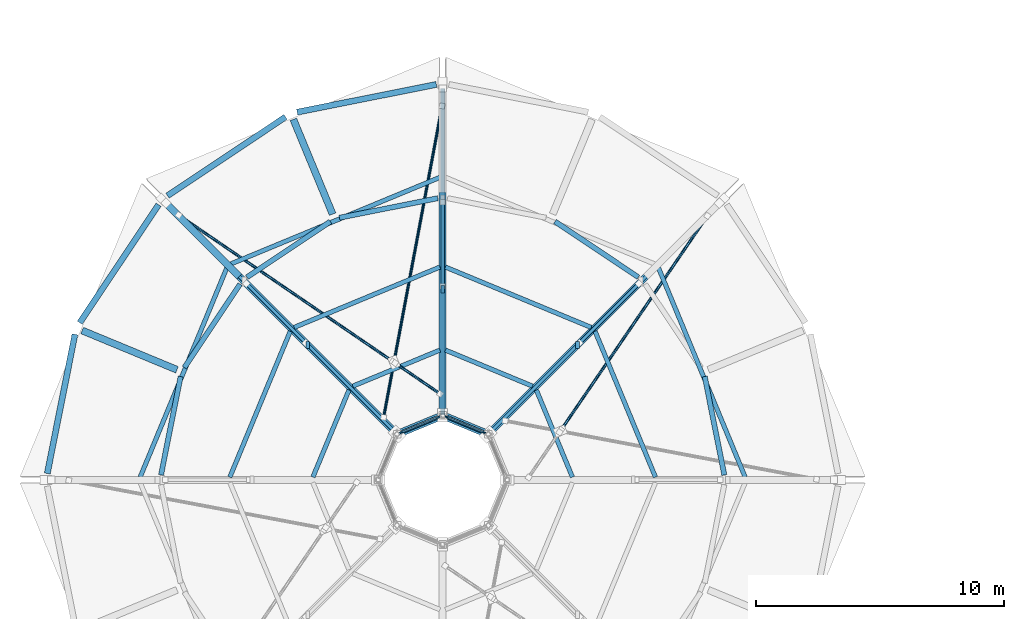
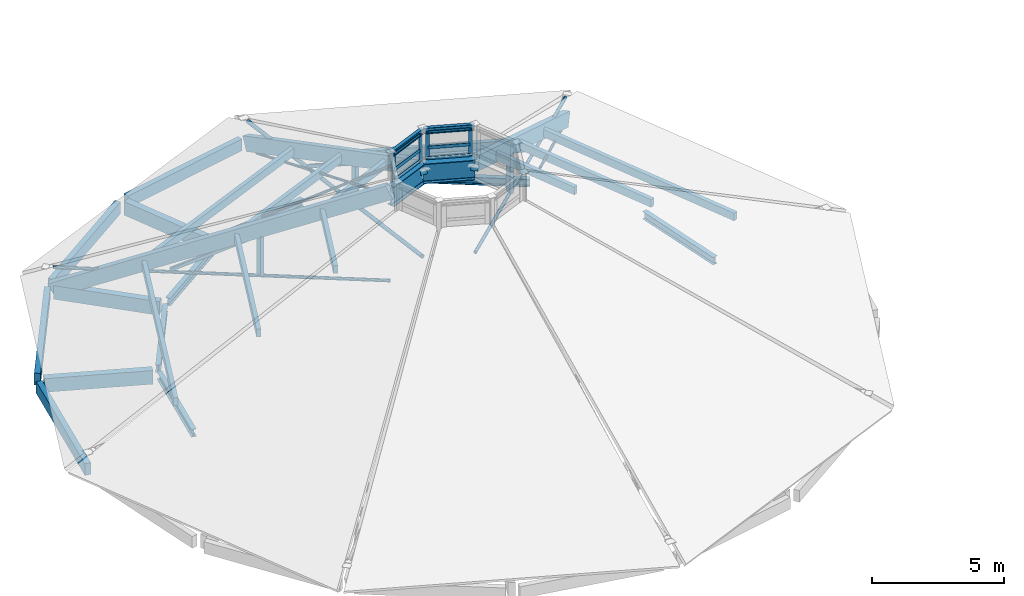
# One storey, part 33 of 66: 37 members, 17 beams, 2 elements without a shape of their own.
"""IFC4 building model written with IfcOpenShell, lengths in metres."""

from ifc_helpers import new_model, si_unit, direction, frame, origin, origin_2d, place, context, subcontext, project, spatial, rectangle, hollow_rectangle, hollow_circle, i_section, extrude, material, layer, layer_set, material_profile, profile_set, type_object, element, aggregate, save


model = new_model("IFC4")

# Units and contexts
model_context = context("Model", 3, precision=1e-05, world=origin(), true_north=direction((0.0, 1.0)))
body_context = subcontext(model_context, "Body", "Model", "MODEL_VIEW")
ifc_project = project(units=[si_unit("LENGTHUNIT", "METRE"), si_unit("AREAUNIT", "SQUARE_METRE"), si_unit("VOLUMEUNIT", "CUBIC_METRE"), si_unit("PLANEANGLEUNIT", "RADIAN"), si_unit("MASSUNIT", "GRAM", prefix="KILO")], contexts=[model_context])

# Site, building, storey
site_placement = place(None, origin())
site = spatial("IfcSite", under=ifc_project, at=site_placement, CompositionType="ELEMENT")
building_placement = place(site_placement, origin())
building = spatial("IfcBuilding", under=site, at=building_placement, Name="Caldaven Crescent School", CompositionType="ELEMENT")
storey_placement = place(building_placement, frame((0.0, 0.0, 8.159912109375)))
storey = spatial("IfcBuildingStorey", under=building, at=storey_placement, Name="L02", CompositionType="ELEMENT", Elevation=8.159912109375)

# Beams
ifc_material_1 = material(Name="Glulam MLE24h (GL28h)", Category="wood")
ifc_material_profile_1 = material_profile(ifc_material_1, rectangle(XDim=0.280029296875, YDim=0.6298828125, at=origin_2d()), Name="MLE 280x630")
ifc_profile_set_1 = profile_set([ifc_material_profile_1], Name="Glulam MLE24h (GL28h)")
beam_type_1 = type_object("IfcBeamType", Name="BM-GL63", PredefinedType="BEAM", material=ifc_profile_set_1)
beam_1_placement = place(storey_placement, frame((19.060791015625, 109.217041015625, -0.534912109375), z_axis=(-0.382679925467, 0.923880985108, 0.0), x_axis=(-0.923880985108, -0.382679925467, 0.0)))
element("IfcBeam", 1, at=beam_1_placement, inside=storey, type_object=beam_type_1, Name="BM-V2-L02-0364", PredefinedType="BEAM", context=body_context, shape_type="SweptSolid", body=[
    extrude(rectangle(XDim=0.280029296875, YDim=0.6298828125, at=origin_2d()), origin(), (0.0, 0.0, 1.0), 4.139892578125),
])
beam_2_placement = place(storey_placement, frame((15.297607421875, 106.702392578125, -0.534912109375), z_axis=(-0.707106781187, 0.707106781187, 0.0), x_axis=(-0.707106781187, -0.707106781187, 0.0)))
element("IfcBeam", 2, at=beam_2_placement, inside=storey, type_object=beam_type_1, Name="BM-V2-L02-0367", PredefinedType="BEAM", context=body_context, shape_type="SweptSolid", body=[
    extrude(rectangle(XDim=0.280029296875, YDim=0.6298828125, at=origin_2d()), origin(), (0.0, 0.0, 1.0), 4.14013671875),
])
beam_3_placement = place(storey_placement, frame((12.782958984375, 102.939208984375, -0.534912109375), z_axis=(-0.923880985108, 0.382679925467, 0.0), x_axis=(-0.382679925467, -0.923880985108, 0.0)))
element("IfcBeam", 3, at=beam_3_placement, inside=storey, type_object=beam_type_1, Name="BM-V2-L02-0370", PredefinedType="BEAM", context=body_context, shape_type="SweptSolid", body=[
    extrude(rectangle(XDim=0.280029296875, YDim=0.6298828125, at=origin_2d()), origin(), (0.0, 0.0, 1.0), 4.139892578125),
])
ifc_material_2 = material(Name="Steel ASTM A572 Grade 50", Category="steel")
ifc_material_profile_2 = material_profile(ifc_material_2, i_section(OverallWidth=0.14599609375, OverallDepth=0.258056640625, WebThickness=0.006103515625, FlangeThickness=0.009033203125, FilletRadius=0.011962890625, at=origin_2d()), Name="W250x33")
ifc_profile_set_2 = profile_set([ifc_material_profile_2], Name="Steel ASTM A572 Grade 50")
beam_type_2 = type_object("IfcBeamType", Name="BM-W25", PredefinedType="BEAM", material=ifc_profile_set_2)
for number, where, z_axis, x_axis, name in (
    (4, (25.320068359375, 100.34619140625, 8.12109375), (-0.923900862451, 0.382631933277, 0.0), (-0.382631933277, -0.923900862451, 0.0), "LRNG-V2-L02-0400"),
    (5, (23.4814453125, 101.09228515625, 8.12109375), (-0.923900862451, -0.382631933277, 0.0), (0.382631933277, -0.923900862451, 0.0), "LRNG-V2-L02-0402"),
):
    element("IfcBeam", number, at=place(storey_placement, frame(where, z_axis=z_axis, x_axis=x_axis)), inside=storey, type_object=beam_type_2, Name=name, PredefinedType="BEAM", context=body_context, shape_type="SweptSolid", body=[
        extrude(i_section(OverallWidth=0.14599609375, OverallDepth=0.258056640625, WebThickness=0.006103515625, FlangeThickness=0.009033203125, FilletRadius=0.011962890625, at=origin_2d()), origin(), (0.0, 0.0, 1.0), 1.949951171875),
    ])
ifc_material_profile_3 = material_profile(ifc_material_2, i_section(OverallWidth=0.205078125, OverallDepth=0.35400390625, WebThickness=0.009521484375, FlangeThickness=0.016845703125, FilletRadius=0.014892578125, at=origin_2d()), Name="W360x79")
ifc_profile_set_3 = profile_set([ifc_material_profile_3], Name="Steel ASTM A572 Grade 50")
beam_type_3 = type_object("IfcBeamType", Name="BM-W36", PredefinedType="BEAM", material=ifc_profile_set_3)
beam_4_placement = place(storey_placement, frame((34.861083984375, 98.696044921875, -0.39697265625), z_axis=(-0.195095436925, 0.980784262971, 0.0), x_axis=(-0.980784262971, -0.195095436925, 0.0)))
element("IfcBeam", 6, at=beam_4_placement, inside=storey, type_object=beam_type_3, Name="BM-V2-L02-0350", PredefinedType="BEAM", context=body_context, shape_type="SweptSolid", body=[
    extrude(i_section(OverallWidth=0.205078125, OverallDepth=0.35400390625, WebThickness=0.009521484375, FlangeThickness=0.016845703125, FilletRadius=0.014892578125, at=origin_2d()), origin(), (0.0, 0.0, 1.0), 4.04833984375),
])
beam_5_placement = place(storey_placement, frame((31.394775390625, 106.672119140625, -0.39697265625), z_axis=(-0.831474595704, 0.55556277476, 0.0), x_axis=(-0.55556277476, -0.831474595704, 0.0)))
element("IfcBeam", 7, at=beam_5_placement, inside=storey, type_object=beam_type_3, Name="BM-V2-L02-0356", PredefinedType="BEAM", context=body_context, shape_type="SweptSolid", body=[
    extrude(i_section(OverallWidth=0.205078125, OverallDepth=0.35400390625, WebThickness=0.009521484375, FlangeThickness=0.016845703125, FilletRadius=0.014892578125, at=origin_2d()), origin(), (0.0, 0.0, 1.0), 4.048095703125),
])
beam_6_placement = place(storey_placement, frame((23.303955078125, 109.861083984375, -0.39697265625), z_axis=(-0.980784262971, -0.195095436925, 0.0), x_axis=(0.195095436925, -0.980784262971, 0.0)))
element("IfcBeam", 8, at=beam_6_placement, inside=storey, type_object=beam_type_3, Name="BM-V2-L02-0362", PredefinedType="BEAM", context=body_context, shape_type="SweptSolid", body=[
    extrude(i_section(OverallWidth=0.205078125, OverallDepth=0.35400390625, WebThickness=0.009521484375, FlangeThickness=0.016845703125, FilletRadius=0.014892578125, at=origin_2d()), origin(), (0.0, 0.0, 1.0), 4.04833984375),
])
for number, where, z_axis, x_axis, name in (
    (9, (18.97119140625, 108.921142578125, -0.39697265625), (-0.831474595704, -0.55556277476, 0.0), (0.55556277476, -0.831474595704, 0.0), "BM-V2-L02-0365"),
    (10, (15.327880859375, 106.394775390625, -0.39697265625), (-0.55556277476, -0.831474595704, 0.0), (0.831474595704, -0.55556277476, 0.0), "BM-V2-L02-0368"),
):
    element("IfcBeam", number, at=place(storey_placement, frame(where, z_axis=z_axis, x_axis=x_axis)), inside=storey, type_object=beam_type_3, Name=name, PredefinedType="BEAM", context=body_context, shape_type="SweptSolid", body=[
        extrude(i_section(OverallWidth=0.205078125, OverallDepth=0.35400390625, WebThickness=0.009521484375, FlangeThickness=0.016845703125, FilletRadius=0.014892578125, at=origin_2d()), origin(), (0.0, 0.0, 1.0), 4.048095703125),
    ])
beam_7_placement = place(storey_placement, frame((12.9287109375, 102.66650390625, -0.39697265625), z_axis=(-0.195095436925, -0.980784262971, 0.0), x_axis=(0.980784262971, -0.195095436925, 0.0)))
element("IfcBeam", 11, at=beam_7_placement, inside=storey, type_object=beam_type_3, Name="BM-V2-L02-0371", PredefinedType="BEAM", context=body_context, shape_type="SweptSolid", body=[
    extrude(i_section(OverallWidth=0.205078125, OverallDepth=0.35400390625, WebThickness=0.009521484375, FlangeThickness=0.016845703125, FilletRadius=0.014892578125, at=origin_2d()), origin(), (0.0, 0.0, 1.0), 4.04833984375),
])
ifc_material_profile_4 = material_profile(ifc_material_2, i_section(OverallWidth=0.303955078125, OverallDepth=0.910888671875, WebThickness=0.015869140625, FlangeThickness=0.02392578125, FilletRadius=0.02197265625, at=origin_2d()), Name="W920x223")
ifc_profile_set_4 = profile_set([ifc_material_profile_4], Name="Steel ASTM A572 Grade 50")
beam_type_4 = type_object("IfcBeamType", Name="BM-W92", PredefinedType="BEAM", material=ifc_profile_set_4)
for number, where, z_axis, x_axis, name in (
    (12, (25.329345703125, 100.34228515625, 6.20458984375), (-0.923877872246, 0.382687440576, 0.0), (-0.382687440576, -0.923877872246, 0.0), "RING-V2-L02-0399"),
    (13, (23.49072265625, 101.09619140625, 6.20458984375), (-0.923877872246, -0.382687440576, 0.0), (0.382687440576, -0.923877872246, 0.0), "RING-V2-L02-0401"),
):
    element("IfcBeam", number, at=place(storey_placement, frame(where, z_axis=z_axis, x_axis=x_axis)), inside=storey, type_object=beam_type_4, Name=name, PredefinedType="BEAM", context=body_context, shape_type="SweptSolid", body=[
        extrude(i_section(OverallWidth=0.303955078125, OverallDepth=0.910888671875, WebThickness=0.015869140625, FlangeThickness=0.02392578125, FilletRadius=0.02197265625, at=origin_2d()), origin(), (0.0, 0.0, 1.0), 1.969970703125),
    ])

# Members
ifc_material_profile_5 = material_profile(ifc_material_2, hollow_circle(Radius=0.05712890625, WallThickness=0.008056640625, at=origin_2d()), Name="CHS 114.3x8.0")
ifc_profile_set_5 = profile_set([ifc_material_profile_5], Name="Steel ASTM A572 Grade 50")
member_type_1 = type_object("IfcMemberType", Name="BR-CH11", PredefinedType="BRACE", material=ifc_profile_set_5)
member_1_placement = place(storey_placement, frame((34.17822265625, 109.14599609375, -0.494140625), z_axis=(-0.498029503468, -0.728494577084, 0.470385230248), x_axis=(0.825525919039, -0.564364205983, 0.0)))
element("IfcMember", 14, at=member_1_placement, inside=storey, type_object=member_type_1, Name="RBR-V2-00-X2A", PredefinedType="BRACE", context=body_context, shape_type="SweptSolid", body=[
    extrude(hollow_circle(Radius=0.05712890625, WallThickness=0.008056640625, at=origin_2d()), origin(), (0.0, 0.0, 1.0), 11.851806640625),
])
member_2_placement = place(storey_placement, frame((23.477294921875, 113.57861328125, -0.494140625), z_axis=(-0.16295821074, -0.867283130276, 0.470387705506), x_axis=(0.98280178904, -0.184663595385, 0.0)))
element("IfcMember", 15, at=member_2_placement, inside=storey, type_object=member_type_1, Name="RBR-V2-02-X1", PredefinedType="BRACE", context=body_context, shape_type="SweptSolid", body=[
    extrude(hollow_circle(Radius=0.05712890625, WallThickness=0.008056640625, at=origin_2d()), origin(), (0.0, 0.0, 1.0), 14.473876953125),
])
member_3_placement = place(storey_placement, frame((12.85400390625, 109.17822265625, -0.494140625), z_axis=(0.728494577084, -0.498029503468, 0.470385230248), x_axis=(0.564364205983, 0.825525919039, 0.0)))
element("IfcMember", 16, at=member_3_placement, inside=storey, type_object=member_type_1, Name="RBR-V2-02-X2A", PredefinedType="BRACE", context=body_context, shape_type="SweptSolid", body=[
    extrude(hollow_circle(Radius=0.05712890625, WallThickness=0.008056640625, at=origin_2d()), origin(), (0.0, 0.0, 1.0), 11.851806640625),
])
member_4_placement = place(storey_placement, frame((21.582763671875, 103.2109375, 5.14208984375), z_axis=(0.728446028426, -0.498106201549, 0.470379204099), x_axis=(0.564449065231, 0.825467899291, 0.0)))
element("IfcMember", 17, at=member_4_placement, inside=storey, type_object=member_type_1, Name="RBR-V2-02-X2B", PredefinedType="BRACE", context=body_context, shape_type="SweptSolid", body=[
    extrude(hollow_circle(Radius=0.05712890625, WallThickness=0.008056640625, at=origin_2d()), origin(), (0.0, 0.0, 1.0), 2.491943359375),
])
ifc_material_profile_6 = material_profile(ifc_material_2, hollow_circle(Radius=0.06982421875, WallThickness=0.010009765625, at=origin_2d()), Name="CHS 139.7x10.0")
ifc_profile_set_6 = profile_set([ifc_material_profile_6], Name="Steel ASTM A572 Grade 50")
member_type_2 = type_object("IfcMemberType", Name="BR-CH14", PredefinedType="BRACE", material=ifc_profile_set_6)
for number, where, z_axis, x_axis, name in (
    (18, (34.659423828125, 109.659423828125, 0.529296875), (-0.700811952879, -0.700811952879, 0.133136071004), (0.707106781187, -0.707106781187, 0.0), "TT-V2-01"),
    (19, (12.340576171875, 109.659423828125, 0.529296875), (0.700811952879, -0.700811952879, 0.133136071004), (0.707106781187, 0.707106781187, 0.0), "TT-V2-03"),
):
    element("IfcMember", number, at=place(storey_placement, frame(where, z_axis=z_axis, x_axis=x_axis)), inside=storey, type_object=member_type_2, Name=name, PredefinedType="BRACE", context=body_context, shape_type="SweptSolid", body=[
        extrude(hollow_circle(Radius=0.06982421875, WallThickness=0.010009765625, at=origin_2d()), origin(), (0.0, 0.0, 1.0), 13.280029296875),
    ])
ifc_material_profile_7 = material_profile(ifc_material_2, hollow_circle(Radius=0.084228515625, WallThickness=0.012451171875, at=origin_2d()), Name="CHS 168.3x12.5")
ifc_profile_set_7 = profile_set([ifc_material_profile_7], Name="Steel ASTM A572 Grade 50")
member_type_3 = type_object("IfcMemberType", Name="BR-CH16", PredefinedType="BRACE", material=ifc_profile_set_7)
member_5_placement = place(storey_placement, frame((23.5, 114.281982421875, 0.529296875), z_axis=(0.0, -0.991098017643, 0.133134215829), x_axis=(1.0, 0.0, 0.0)))
element("IfcMember", 20, at=member_5_placement, inside=storey, type_object=member_type_3, Name="TT-V2-02", PredefinedType="BRACE", context=body_context, shape_type="SweptSolid", body=[
    extrude(hollow_circle(Radius=0.084228515625, WallThickness=0.012451171875, at=origin_2d()), origin(), (0.0, 0.0, 1.0), 13.2802734375),
])
ifc_material_profile_8 = material_profile(ifc_material_1, rectangle(XDim=0.280029296875, YDim=0.6298828125, at=origin_2d()), Name="MLE 280x630")
ifc_profile_set_8 = profile_set([ifc_material_profile_8], Name="Glulam MLE24h (GL28h)")
member_type_4 = type_object("IfcMemberType", Name="CH-GL63", PredefinedType="CHORD", material=ifc_profile_set_8)
for number, where, z_axis, x_axis, name in (
    (21, (34.6884765625, 109.6884765625, -0.46728515625), (-0.626742955756, -0.626742955756, 0.463018935703), (0.707106781187, -0.707106781187, 0.0), "TC-V2-01"),
    (22, (23.5, 114.32275390625, -0.46728515625), (0.0, -0.886348346323, 0.463019015777), (1.0, 0.0, 0.0), "TC-V2-02"),
    (23, (12.3115234375, 109.6884765625, -0.46728515625), (0.626742955756, -0.626742955756, 0.463018935703), (0.707106781187, 0.707106781187, 0.0), "TC-V2-03"),
):
    element("IfcMember", number, at=place(storey_placement, frame(where, z_axis=z_axis, x_axis=x_axis)), inside=storey, type_object=member_type_4, Name=name, PredefinedType="CHORD", context=body_context, shape_type="SweptSolid", body=[
        extrude(rectangle(XDim=0.280029296875, YDim=0.6298828125, at=origin_2d()), origin(), (0.0, 0.0, 1.0), 14.898193359375),
    ])

# Curtain wall, members
ifc_material_3 = material(Name="Anodised aluminium AA 6063-T6 and low-E double glazing", Category="aluminium")
ifc_layer_1 = layer(ifc_material_3, 0.22998046875)
ifc_layer_set_1 = layer_set([ifc_layer_1], Name="Anodised aluminium AA 6063-T6 and low-E double glazing")
curtain_wall_type_1 = type_object("IfcCurtainWallType", Name="CW-SYS4", PredefinedType="NOTDEFINED", material=ifc_layer_set_1)
curtain_wall_1_placement = place(storey_placement, origin())
curtain_wall_1 = element("IfcCurtainWall", 24, at=curtain_wall_1_placement, inside=storey, type_object=curtain_wall_type_1, Name="CW-L02-074", PredefinedType="NOTDEFINED")
ifc_material_4 = material(Name="Anodised aluminium AA 6063-T6", Category="aluminium")
ifc_material_profile_9 = material_profile(ifc_material_4, rectangle(XDim=0.06005859375, YDim=0.14990234375, at=origin_2d()), Name="CWM 60x150")
ifc_profile_set_9 = profile_set([ifc_material_profile_9], Name="Anodised aluminium AA 6063-T6")
member_type_5 = type_object("IfcMemberType", Name="CWM-T1", PredefinedType="MULLION", material=ifc_profile_set_9)
member_6_placement = place(storey_placement, frame((25.181396484375, 100.403564453125, 6.800048828125), z_axis=(0.0, 0.0, 1.0), x_axis=(-0.382683210876, -0.923879624255, 0.0)))
member_6 = element("IfcMember", 25, at=member_6_placement, type_object=member_type_5, Name="CW4 mullion 1", PredefinedType="MULLION", context=body_context, shape_type="SweptSolid", body=[
    extrude(rectangle(XDim=0.06005859375, YDim=0.14990234375, at=origin_2d()), origin(), (0.0, 0.0, 1.0), 1.25),
])
member_7_placement = place(storey_placement, frame((23.656982421875, 101.034912109375, 6.800048828125), z_axis=(0.0, 0.0, 1.0), x_axis=(-0.382683210876, -0.923879624255, 0.0)))
member_7 = element("IfcMember", 26, at=member_7_placement, type_object=member_type_5, Name="CW4 mullion 2", PredefinedType="MULLION", context=body_context, shape_type="SweptSolid", body=[
    extrude(rectangle(XDim=0.06005859375, YDim=0.14990234375, at=origin_2d()), origin(), (0.0, 0.0, 1.0), 1.25),
])

ifc_layer_2 = layer(ifc_material_3, 0.169921875)
ifc_layer_set_2 = layer_set([ifc_layer_2], Name="Anodised aluminium AA 6063-T6 and low-E double glazing")
curtain_wall_type_2 = type_object("IfcCurtainWallType", Name="CW-SYS1", PredefinedType="NOTDEFINED", material=ifc_layer_set_2)
curtain_wall_2_placement = place(storey_placement, origin())
curtain_wall_2 = element("IfcCurtainWall", 27, at=curtain_wall_2_placement, inside=storey, type_object=curtain_wall_type_2, Name="CW-L02-075", PredefinedType="NOTDEFINED")
ifc_material_profile_10 = material_profile(ifc_material_4, rectangle(XDim=0.06494140625, YDim=0.179931640625, at=origin_2d()), Name="CWM 65x180")
ifc_profile_set_10 = profile_set([ifc_material_profile_10], Name="Anodised aluminium AA 6063-T6")
member_type_6 = type_object("IfcMemberType", Name="CWM-T2", PredefinedType="MULLION", material=ifc_profile_set_10)
member_8_placement = place(storey_placement, frame((23.340576171875, 101.033935546875, 6.800048828125), z_axis=(0.0, 0.0, 1.0), x_axis=(0.382683210876, -0.923879624255, 0.0)))
member_8 = element("IfcMember", 28, at=member_8_placement, type_object=member_type_6, Name="CW1 mullion 1", PredefinedType="MULLION", context=body_context, shape_type="SweptSolid", body=[
    extrude(rectangle(XDim=0.06494140625, YDim=0.179931640625, at=origin_2d()), origin(), (0.0, 0.0, 1.0), 1.25),
])
member_9_placement = place(storey_placement, frame((21.82080078125, 100.404541015625, 6.800048828125), z_axis=(0.0, 0.0, 1.0), x_axis=(0.382683210876, -0.923879624255, 0.0)))
member_9 = element("IfcMember", 29, at=member_9_placement, type_object=member_type_6, Name="CW1 mullion 2", PredefinedType="MULLION", context=body_context, shape_type="SweptSolid", body=[
    extrude(rectangle(XDim=0.06494140625, YDim=0.179931640625, at=origin_2d()), origin(), (0.0, 0.0, 1.0), 1.25),
])

# Member
ifc_material_profile_11 = material_profile(ifc_material_4, rectangle(XDim=0.06494140625, YDim=0.139892578125, at=origin_2d()), Name="CWT 65x140")
ifc_profile_set_11 = profile_set([ifc_material_profile_11], Name="Anodised aluminium AA 6063-T6")
member_type_7 = type_object("IfcMemberType", Name="CWT-T2", PredefinedType="USERDEFINED", material=ifc_profile_set_11)
member_10_placement = place(storey_placement, frame((25.15380859375, 100.4150390625, 6.83251953125), z_axis=(-0.923897066614, 0.382641098554, 0.0), x_axis=(-0.382641098554, -0.923897066614, 0.0)))
member_10 = element("IfcMember", 30, at=member_10_placement, type_object=member_type_7, Name="CW4 transom 1.1", ObjectType="TRANSOM", PredefinedType="USERDEFINED", context=body_context, shape_type="SweptSolid", body=[
    extrude(rectangle(XDim=0.06494140625, YDim=0.139892578125, at=origin_2d()), origin(), (0.0, 0.0, 1.0), 1.590087890625),
])

member_11_placement = place(storey_placement, frame((25.15380859375, 100.4150390625, 7.3251953125), z_axis=(-0.923897066614, 0.382641098554, 0.0), x_axis=(-0.382641098554, -0.923897066614, 0.0)))
member_11 = element("IfcMember", 31, at=member_11_placement, type_object=member_type_7, Name="CW4 transom 1.2", ObjectType="TRANSOM", PredefinedType="USERDEFINED", context=body_context, shape_type="SweptSolid", body=[
    extrude(rectangle(XDim=0.06494140625, YDim=0.139892578125, at=origin_2d()), origin(), (0.0, 0.0, 1.0), 1.590087890625),
])

member_12_placement = place(storey_placement, frame((25.15380859375, 100.4150390625, 8.017578125), z_axis=(-0.923897066614, 0.382641098554, 0.0), x_axis=(-0.382641098554, -0.923897066614, 0.0)))
member_12 = element("IfcMember", 32, at=member_12_placement, type_object=member_type_7, Name="CW4 transom 1.3", ObjectType="TRANSOM", PredefinedType="USERDEFINED", context=body_context, shape_type="SweptSolid", body=[
    extrude(rectangle(XDim=0.06494140625, YDim=0.139892578125, at=origin_2d()), origin(), (0.0, 0.0, 1.0), 1.590087890625),
])

aggregate(curtain_wall_1, [member_6, member_7, member_10, member_11, member_12])

ifc_material_profile_12 = material_profile(ifc_material_4, rectangle(XDim=0.070068359375, YDim=0.159912109375, at=origin_2d()), Name="CWT 70x160")
ifc_profile_set_12 = profile_set([ifc_material_profile_12], Name="Anodised aluminium AA 6063-T6")
member_type_8 = type_object("IfcMemberType", Name="CWT-T3", PredefinedType="USERDEFINED", material=ifc_profile_set_12)
member_13_placement = place(storey_placement, frame((23.310546875, 101.021484375, 6.835205078125), z_axis=(-0.923911374437, -0.38260655011, 0.0), x_axis=(0.38260655011, -0.923911374437, 0.0)))
member_13 = element("IfcMember", 33, at=member_13_placement, type_object=member_type_8, Name="CW1 transom 1.1", ObjectType="TRANSOM", PredefinedType="USERDEFINED", context=body_context, shape_type="SweptSolid", body=[
    extrude(rectangle(XDim=0.070068359375, YDim=0.159912109375, at=origin_2d()), origin(), (0.0, 0.0, 1.0), 1.579833984375),
])

member_14_placement = place(storey_placement, frame((23.310546875, 101.021484375, 7.3251953125), z_axis=(-0.923911374437, -0.38260655011, 0.0), x_axis=(0.38260655011, -0.923911374437, 0.0)))
member_14 = element("IfcMember", 34, at=member_14_placement, type_object=member_type_8, Name="CW1 transom 1.2", ObjectType="TRANSOM", PredefinedType="USERDEFINED", context=body_context, shape_type="SweptSolid", body=[
    extrude(rectangle(XDim=0.070068359375, YDim=0.159912109375, at=origin_2d()), origin(), (0.0, 0.0, 1.0), 1.579833984375),
])

member_15_placement = place(storey_placement, frame((23.310546875, 101.021484375, 8.01513671875), z_axis=(-0.923911374437, -0.38260655011, 0.0), x_axis=(0.38260655011, -0.923911374437, 0.0)))
member_15 = element("IfcMember", 35, at=member_15_placement, type_object=member_type_8, Name="CW1 transom 1.3", ObjectType="TRANSOM", PredefinedType="USERDEFINED", context=body_context, shape_type="SweptSolid", body=[
    extrude(rectangle(XDim=0.070068359375, YDim=0.159912109375, at=origin_2d()), origin(), (0.0, 0.0, 1.0), 1.579833984375),
])

aggregate(curtain_wall_2, [member_8, member_9, member_13, member_14, member_15])

# Members
ifc_material_profile_13 = material_profile(ifc_material_1, rectangle(XDim=0.179931640625, YDim=0.360107421875, at=origin_2d()), Name="MLE 180x360")
ifc_profile_set_13 = profile_set([ifc_material_profile_13], Name="Glulam MLE24h (GL28h)")
member_type_9 = type_object("IfcMemberType", Name="PR-GL36", PredefinedType="PURLIN", material=ifc_profile_set_13)
member_16_placement = place(storey_placement, frame((35.7021484375, 98.61083984375, 1.400146484375), z_axis=(-0.38269013965, 0.923876754235, 0.0), x_axis=(-0.923876754235, -0.38269013965, 0.0)))
element("IfcMember", 36, at=member_16_placement, inside=storey, type_object=member_type_9, Name="PUR-V2-00-0", PredefinedType="PURLIN", context=body_context, shape_type="SweptSolid", body=[
    extrude(rectangle(XDim=0.179931640625, YDim=0.360107421875, at=origin_2d()), origin(), (0.0, 0.0, 1.0), 9.13427734375),
])
member_17_placement = place(storey_placement, frame((32.083984375, 98.61083984375, 3.2900390625), z_axis=(-0.382678126137, 0.923881730405, 0.0), x_axis=(-0.923881730405, -0.382678126137, 0.0)))
element("IfcMember", 37, at=member_17_placement, inside=storey, type_object=member_type_9, Name="PUR-V2-00-1", PredefinedType="PURLIN", context=body_context, shape_type="SweptSolid", body=[
    extrude(rectangle(XDim=0.179931640625, YDim=0.360107421875, at=origin_2d()), origin(), (0.0, 0.0, 1.0), 6.365234375),
])
member_18_placement = place(storey_placement, frame((28.734130859375, 98.61083984375, 5.0400390625), z_axis=(-0.382680807349, 0.923880619824, 0.0), x_axis=(-0.923880619824, -0.382680807349, 0.0)))
element("IfcMember", 38, at=member_18_placement, inside=storey, type_object=member_type_9, Name="PUR-V2-00-2", PredefinedType="PURLIN", context=body_context, shape_type="SweptSolid", body=[
    extrude(rectangle(XDim=0.179931640625, YDim=0.360107421875, at=origin_2d()), origin(), (0.0, 0.0, 1.0), 3.801025390625),
])
member_19_placement = place(storey_placement, frame((29.491455078125, 104.648193359375, 3.2900390625), z_axis=(-0.923881730405, 0.382678126137, 0.0), x_axis=(-0.382678126137, -0.923881730405, 0.0)))
element("IfcMember", 39, at=member_19_placement, inside=storey, type_object=member_type_9, Name="PUR-V2-01-1", PredefinedType="PURLIN", context=body_context, shape_type="SweptSolid", body=[
    extrude(rectangle(XDim=0.179931640625, YDim=0.360107421875, at=origin_2d()), origin(), (0.0, 0.0, 1.0), 6.365234375),
])
member_20_placement = place(storey_placement, frame((27.12255859375, 102.279541015625, 5.0400390625), z_axis=(-0.923880619824, 0.382680807349, 0.0), x_axis=(-0.382680807349, -0.923880619824, 0.0)))
element("IfcMember", 40, at=member_20_placement, inside=storey, type_object=member_type_9, Name="PUR-V2-01-2", PredefinedType="PURLIN", context=body_context, shape_type="SweptSolid", body=[
    extrude(rectangle(XDim=0.179931640625, YDim=0.360107421875, at=origin_2d()), origin(), (0.0, 0.0, 1.0), 3.801025390625),
])
member_21_placement = place(storey_placement, frame((23.38916015625, 110.7021484375, 1.400146484375), z_axis=(-0.923876754235, -0.38269013965, 0.0), x_axis=(0.38269013965, -0.923876754235, 0.0)))
element("IfcMember", 41, at=member_21_placement, inside=storey, type_object=member_type_9, Name="PUR-V2-02-0", PredefinedType="PURLIN", context=body_context, shape_type="SweptSolid", body=[
    extrude(rectangle(XDim=0.179931640625, YDim=0.360107421875, at=origin_2d()), origin(), (0.0, 0.0, 1.0), 9.13427734375),
])
member_22_placement = place(storey_placement, frame((23.38916015625, 107.083984375, 3.2900390625), z_axis=(-0.923881730405, -0.382678126137, 0.0), x_axis=(0.382678126137, -0.923881730405, 0.0)))
element("IfcMember", 42, at=member_22_placement, inside=storey, type_object=member_type_9, Name="PUR-V2-02-1", PredefinedType="PURLIN", context=body_context, shape_type="SweptSolid", body=[
    extrude(rectangle(XDim=0.179931640625, YDim=0.360107421875, at=origin_2d()), origin(), (0.0, 0.0, 1.0), 6.365234375),
])
member_23_placement = place(storey_placement, frame((23.38916015625, 103.734130859375, 5.0400390625), z_axis=(-0.923880619824, -0.382680807349, 0.0), x_axis=(0.382680807349, -0.923880619824, 0.0)))
element("IfcMember", 43, at=member_23_placement, inside=storey, type_object=member_type_9, Name="PUR-V2-02-2", PredefinedType="PURLIN", context=body_context, shape_type="SweptSolid", body=[
    extrude(rectangle(XDim=0.179931640625, YDim=0.360107421875, at=origin_2d()), origin(), (0.0, 0.0, 1.0), 3.801025390625),
])
member_24_placement = place(storey_placement, frame((14.79345703125, 107.0498046875, 1.400146484375), z_axis=(-0.38269013965, -0.923876754235, 0.0), x_axis=(0.923876754235, -0.38269013965, 0.0)))
element("IfcMember", 44, at=member_24_placement, inside=storey, type_object=member_type_9, Name="PUR-V2-03-0", PredefinedType="PURLIN", context=body_context, shape_type="SweptSolid", body=[
    extrude(rectangle(XDim=0.179931640625, YDim=0.360107421875, at=origin_2d()), origin(), (0.0, 0.0, 1.0), 9.13427734375),
])
member_25_placement = place(storey_placement, frame((17.351806640625, 104.491455078125, 3.2900390625), z_axis=(-0.382678126137, -0.923881730405, 0.0), x_axis=(0.923881730405, -0.382678126137, 0.0)))
element("IfcMember", 45, at=member_25_placement, inside=storey, type_object=member_type_9, Name="PUR-V2-03-1", PredefinedType="PURLIN", context=body_context, shape_type="SweptSolid", body=[
    extrude(rectangle(XDim=0.179931640625, YDim=0.360107421875, at=origin_2d()), origin(), (0.0, 0.0, 1.0), 6.365234375),
])
member_26_placement = place(storey_placement, frame((19.720458984375, 102.12255859375, 5.0400390625), z_axis=(-0.382680807349, -0.923880619824, 0.0), x_axis=(0.923880619824, -0.382680807349, 0.0)))
element("IfcMember", 46, at=member_26_placement, inside=storey, type_object=member_type_9, Name="PUR-V2-03-2", PredefinedType="PURLIN", context=body_context, shape_type="SweptSolid", body=[
    extrude(rectangle(XDim=0.179931640625, YDim=0.360107421875, at=origin_2d()), origin(), (0.0, 0.0, 1.0), 3.801025390625),
])

# Beams
ifc_material_profile_14 = material_profile(ifc_material_1, rectangle(XDim=0.239990234375, YDim=0.5400390625, at=origin_2d()), Name="MLE 240x540")
ifc_profile_set_14 = profile_set([ifc_material_profile_14], Name="Glulam MLE24h (GL28h)")
beam_type_5 = type_object("IfcBeamType", Name="SP-GL54", PredefinedType="SPANDREL", material=ifc_profile_set_14)
for number, where, z_axis, x_axis, name in (
    (47, (23.2451171875, 114.44921875, -0.489990234375), (-0.980786865854, -0.195082351248, 0.0), (0.195082351248, -0.980786865854, 0.0), "BM-V2-L02-0363"),
    (48, (17.160888671875, 113.1376953125, -0.489990234375), (-0.831465703483, -0.555576082938, 0.0), (0.555576082938, -0.831465703483, 0.0), "BM-V2-L02-0366"),
    (49, (12.041748046875, 109.597412109375, -0.489990234375), (-0.555576082938, -0.831465703483, 0.0), (0.831465703483, -0.555576082938, 0.0), "BM-V2-L02-0369"),
    (50, (8.667236328125, 104.367919921875, -0.489990234375), (-0.195082351248, -0.980786865854, 0.0), (0.980786865854, -0.195082351248, 0.0), "BM-V2-L02-0372"),
):
    element("IfcBeam", number, at=place(storey_placement, frame(where, z_axis=z_axis, x_axis=x_axis)), inside=storey, type_object=beam_type_5, Name=name, PredefinedType="SPANDREL", context=body_context, shape_type="SweptSolid", body=[
        extrude(rectangle(XDim=0.239990234375, YDim=0.5400390625, at=origin_2d()), origin(), (0.0, 0.0, 1.0), 5.722900390625),
    ])

# Members
ifc_material_profile_15 = material_profile(ifc_material_1, rectangle(XDim=0.14990234375, YDim=0.300048828125, at=origin_2d()), Name="MLE 150x300")
ifc_profile_set_15 = profile_set([ifc_material_profile_15], Name="Glulam MLE24h (GL28h)")
member_type_10 = type_object("IfcMemberType", Name="ST-GL30", PredefinedType="STRUT", material=ifc_profile_set_15)
for number, where, z_axis, x_axis, name in (
    (51, (28.93896484375, 103.93896484375, 1.656005859375), (0.0, 0.0, 1.0), (1.0, 0.0, 0.0), "WS-V2-01-1"),
    (52, (23.5, 106.19189453125, 1.656005859375), (0.0, 0.0, 1.0), (1.0, 0.0, 0.0), "WS-V2-02-1"),
    (53, (18.06103515625, 103.93896484375, 1.656005859375), (0.0, 0.0, 1.0), (1.0, 0.0, 0.0), "WS-V2-03-1"),
):
    element("IfcMember", number, at=place(storey_placement, frame(where, z_axis=z_axis, x_axis=x_axis)), inside=storey, type_object=member_type_10, Name=name, PredefinedType="STRUT", context=body_context, shape_type="SweptSolid", body=[
        extrude(rectangle(XDim=0.14990234375, YDim=0.300048828125, at=origin_2d()), origin(), (0.0, 0.0, 1.0), 1.884033203125),
    ])
ifc_material_profile_16 = material_profile(ifc_material_2, hollow_rectangle(XDim=0.14990234375, YDim=0.14990234375, WallThickness=0.008056640625, InnerFilletRadius=0.008056640625, OuterFilletRadius=0.01611328125, at=origin_2d()), Name="HSS 150x150x8")
ifc_profile_set_16 = profile_set([ifc_material_profile_16], Name="Steel ASTM A572 Grade 50")
member_type_11 = type_object("IfcMemberType", Name="ST-HS15", PredefinedType="STRUT", material=ifc_profile_set_16)
for number, where, z_axis, x_axis, name in (
    (54, (31.4140625, 106.4140625, 1.265869140625), (-0.594486969052, -0.594486969052, 0.541452202189), (0.707106781187, -0.707106781187, 0.0), "WB-V2-01"),
    (55, (23.5, 109.6923828125, 1.265869140625), (0.0, -0.840730639983, 0.541453590803), (1.0, 0.0, 0.0), "WB-V2-02"),
    (56, (15.5859375, 106.4140625, 1.265869140625), (0.594486969052, -0.594486969052, 0.541452202189), (0.707106781187, 0.707106781187, 0.0), "WB-V2-03"),
):
    element("IfcMember", number, at=place(storey_placement, frame(where, z_axis=z_axis, x_axis=x_axis)), inside=storey, type_object=member_type_11, Name=name, PredefinedType="STRUT", context=body_context, shape_type="SweptSolid", body=[
        extrude(hollow_rectangle(XDim=0.14990234375, YDim=0.14990234375, WallThickness=0.008056640625, InnerFilletRadius=0.008056640625, OuterFilletRadius=0.01611328125, at=origin_2d()), origin(), (0.0, 0.0, 1.0), 4.0234375),
    ])

save(model, "model.ifc")
